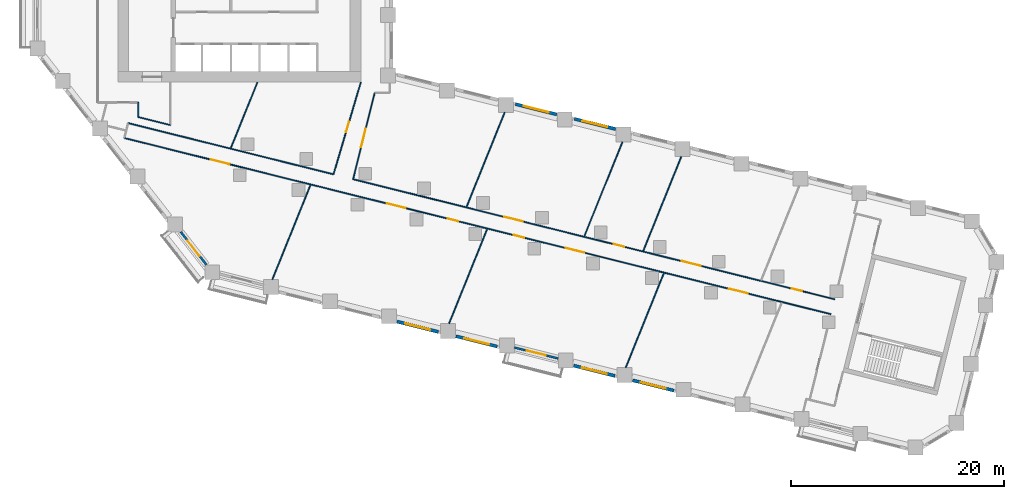
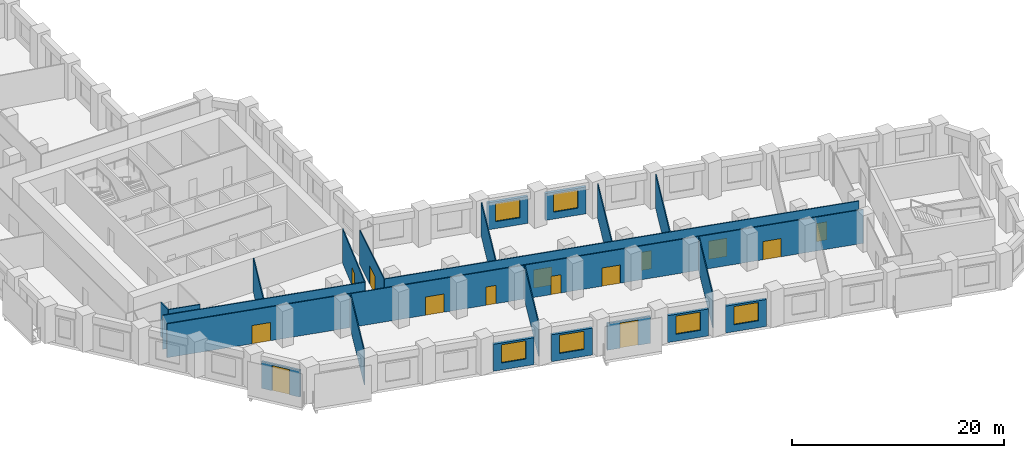
# One storey, part 3 of 11: 22 walls, 14 doors, 6 windows, 20 openings.
"""IFC4 building model written with IfcOpenShell, lengths in metres."""

from ifc_helpers import new_model, si_unit, direction, frame, frame_2d, origin, place, context, subcontext, project, spatial, rectangle, extrude, material, layer, layer_set, type_object, element, fill, save


model = new_model("IFC4")

# Units and contexts
model_context = context("Model", 3, precision=1e-05, world=origin(), true_north=direction((0.0, 1.0)))
body_context = subcontext(model_context, "Body", "Model", "MODEL_VIEW")
ifc_project = project(units=[si_unit("LENGTHUNIT", "METRE"), si_unit("AREAUNIT", "SQUARE_METRE"), si_unit("VOLUMEUNIT", "CUBIC_METRE"), si_unit("PLANEANGLEUNIT", "RADIAN"), si_unit("MASSUNIT", "GRAM", prefix="KILO")], contexts=[model_context])

# Site, building, storey
site_placement = place(None, origin())
site = spatial("IfcSite", under=ifc_project, at=site_placement, CompositionType="ELEMENT")
building_placement = place(site_placement, origin())
building = spatial("IfcBuilding", under=site, at=building_placement, Name="Meshkara Civic Tower", CompositionType="ELEMENT")
storey_placement = place(building_placement, frame((0.0, 0.0, 41.39990234375)))
storey = spatial("IfcBuildingStorey", under=building, at=storey_placement, Name="L08", CompositionType="ELEMENT", Elevation=41.39990234375)

# Wall, openings, doors
ifc_material_1 = material(Name="Corridor wall 100")
ifc_layer_1 = layer(ifc_material_1, 0.10009765625)
ifc_layer_set_1 = layer_set([ifc_layer_1], Name="Corridor wall 100")
wall_type_1 = type_object("IfcWallType", Name="Corridor wall 100", PredefinedType="PARTITIONING", material=ifc_layer_set_1)
wall_1_placement = place(storey_placement, frame((8.593994140625, 8.862060546875, 0.0), z_axis=(0.0, 0.0, 1.0), x_axis=(0.970293746648, -0.241929835316, 0.0)))
wall_1 = element("IfcWall", 1, at=wall_1_placement, inside=storey, type_object=wall_type_1, Name="L08-W006", PredefinedType="PARTITIONING", context=body_context, shape_type="SweptSolid", body=[
    extrude(rectangle(XDim=68.375244140625, YDim=0.10009765625, at=frame_2d((34.1875, 0.0))), origin(), (0.0, 0.0, 1.0), 3.900146484375),
])
opening_1_placement = place(wall_1_placement, frame((37.7080078125, 0.0, 0.0)))
opening_1 = element("IfcOpeningElement", 2, at=opening_1_placement, cuts=wall_1, Name="Opening L08-D003", PredefinedType="OPENING", context=body_context, shape_type="SweptSolid", body=[
    extrude(rectangle(XDim=1.0, YDim=2.10009765625, at=frame_2d((0.5, 1.050048828125))), frame((0.0, 0.06005859375, 0.0), z_axis=(0.0, -1.0, 0.0), x_axis=(1.0, 0.0, 0.0)), (0.0, 0.0, 1.0), 0.1201171875),
])
opening_2_placement = place(wall_1_placement, frame((42.7080078125, 0.0, 0.0)))
opening_2 = element("IfcOpeningElement", 3, at=opening_2_placement, cuts=wall_1, Name="Opening L08-D004", PredefinedType="OPENING", context=body_context, shape_type="SweptSolid", body=[
    extrude(rectangle(XDim=1.800048828125, YDim=2.10009765625, at=frame_2d((0.89990234375, 1.050048828125))), frame((0.0, 0.06005859375, 0.0), z_axis=(0.0, -1.0, 0.0), x_axis=(1.0, 0.0, 0.0)), (0.0, 0.0, 1.0), 0.1201171875),
])
opening_3_placement = place(wall_1_placement, frame((58.508056640625, 0.0, 0.0)))
opening_3 = element("IfcOpeningElement", 4, at=opening_3_placement, cuts=wall_1, Name="Opening L08-D007", PredefinedType="OPENING", context=body_context, shape_type="SweptSolid", body=[
    extrude(rectangle(XDim=1.800048828125, YDim=2.10009765625, at=frame_2d((0.89990234375, 1.050048828125))), frame((0.0, 0.06005859375, 0.0), z_axis=(0.0, -1.0, 0.0), x_axis=(1.0, 0.0, 0.0)), (0.0, 0.0, 1.0), 0.1201171875),
])
opening_4_placement = place(wall_1_placement, frame((25.407958984375, 0.0, 0.0)))
opening_4 = element("IfcOpeningElement", 5, at=opening_4_placement, cuts=wall_1, Name="Opening L08-D010", PredefinedType="OPENING", context=body_context, shape_type="SweptSolid", body=[
    extrude(rectangle(XDim=1.800048828125, YDim=2.10009765625, at=frame_2d((0.89990234375, 1.050048828125))), frame((0.0, 0.06005859375, 0.0), z_axis=(0.0, -1.0, 0.0), x_axis=(1.0, 0.0, 0.0)), (0.0, 0.0, 1.0), 0.1201171875),
])
opening_5_placement = place(wall_1_placement, frame((31.30810546875, 0.0, 0.0)))
opening_5 = element("IfcOpeningElement", 6, at=opening_5_placement, cuts=wall_1, Name="Opening L08-D011", PredefinedType="OPENING", context=body_context, shape_type="SweptSolid", body=[
    extrude(rectangle(XDim=1.0, YDim=2.10009765625, at=frame_2d((0.5, 1.050048828125))), frame((0.0, 0.06005859375, 0.0), z_axis=(0.0, -1.0, 0.0), x_axis=(1.0, 0.0, 0.0)), (0.0, 0.0, 1.0), 0.1201171875),
])
opening_6_placement = place(wall_1_placement, frame((8.3798828125, 0.0, 0.0)))
opening_6 = element("IfcOpeningElement", 7, at=opening_6_placement, cuts=wall_1, Name="Opening L08-D013", PredefinedType="OPENING", context=body_context, shape_type="SweptSolid", body=[
    extrude(rectangle(XDim=1.800048828125, YDim=2.10009765625, at=frame_2d((0.89990234375, 1.050048828125))), frame((0.0, 0.06005859375, 0.0), z_axis=(0.0, -1.0, 0.0), x_axis=(1.0, 0.0, 0.0)), (0.0, 0.0, 1.0), 0.1201171875),
])
ifc_material_2 = material(Name="Door 1000 x 2100")
door_type_1 = type_object("IfcDoorType", Name="Door 1000 x 2100", OperationType="SINGLE_SWING_LEFT", PredefinedType="DOOR", material=ifc_material_2)
door_1_placement = place(opening_1_placement, origin())
door_1 = element("IfcDoor", 8, at=door_1_placement, inside=storey, type_object=door_type_1, Name="L08-D003", OperationType="SINGLE_SWING_RIGHT", OverallHeight=2.10009765625, OverallWidth=1.0, PredefinedType="DOOR", context=body_context, shape_type="SweptSolid", body=[
    extrude(rectangle(XDim=1.0, YDim=2.10009765625, at=frame_2d((0.5, 1.050048828125))), frame((0.0, 0.02490234375, 0.0), z_axis=(0.0, -1.0, 0.0), x_axis=(1.0, 0.0, 0.0)), (0.0, 0.0, 1.0), 0.050048828125),
])
fill(opening_1, door_1)
door_2_placement = place(opening_5_placement, origin())
door_2 = element("IfcDoor", 9, at=door_2_placement, inside=storey, type_object=door_type_1, Name="L08-D011", OperationType="SINGLE_SWING_LEFT", OverallHeight=2.10009765625, OverallWidth=1.0, PredefinedType="DOOR", context=body_context, shape_type="SweptSolid", body=[
    extrude(rectangle(XDim=1.0, YDim=2.10009765625, at=frame_2d((0.5, 1.050048828125))), frame((0.0, 0.02490234375, 0.0), z_axis=(0.0, -1.0, 0.0), x_axis=(1.0, 0.0, 0.0)), (0.0, 0.0, 1.0), 0.050048828125),
])
fill(opening_5, door_2)
ifc_material_3 = material(Name="Door pair 1800 x 2100")
door_type_2 = type_object("IfcDoorType", Name="Door pair 1800 x 2100", OperationType="SINGLE_SWING_LEFT", PredefinedType="DOOR", material=ifc_material_3)
door_3_placement = place(opening_2_placement, origin())
door_3 = element("IfcDoor", 10, at=door_3_placement, inside=storey, type_object=door_type_2, Name="L08-D004", OperationType="DOUBLE_DOOR_SINGLE_SWING", OverallHeight=2.10009765625, OverallWidth=1.800048828125, PredefinedType="DOOR", context=body_context, shape_type="SweptSolid", body=[
    extrude(rectangle(XDim=1.800048828125, YDim=2.10009765625, at=frame_2d((0.89990234375, 1.050048828125))), frame((0.0, 0.02490234375, 0.0), z_axis=(0.0, -1.0, 0.0), x_axis=(1.0, 0.0, 0.0)), (0.0, 0.0, 1.0), 0.050048828125),
])
fill(opening_2, door_3)
door_4_placement = place(opening_3_placement, origin())
door_4 = element("IfcDoor", 11, at=door_4_placement, inside=storey, type_object=door_type_2, Name="L08-D007", OperationType="DOUBLE_DOOR_SINGLE_SWING", OverallHeight=2.10009765625, OverallWidth=1.800048828125, PredefinedType="DOOR", context=body_context, shape_type="SweptSolid", body=[
    extrude(rectangle(XDim=1.800048828125, YDim=2.10009765625, at=frame_2d((0.89990234375, 1.050048828125))), frame((0.0, 0.02490234375, 0.0), z_axis=(0.0, -1.0, 0.0), x_axis=(1.0, 0.0, 0.0)), (0.0, 0.0, 1.0), 0.050048828125),
])
fill(opening_3, door_4)
door_5_placement = place(opening_4_placement, origin())
door_5 = element("IfcDoor", 12, at=door_5_placement, inside=storey, type_object=door_type_2, Name="L08-D010", OperationType="DOUBLE_DOOR_SINGLE_SWING", OverallHeight=2.10009765625, OverallWidth=1.800048828125, PredefinedType="DOOR", context=body_context, shape_type="SweptSolid", body=[
    extrude(rectangle(XDim=1.800048828125, YDim=2.10009765625, at=frame_2d((0.89990234375, 1.050048828125))), frame((0.0, 0.02490234375, 0.0), z_axis=(0.0, -1.0, 0.0), x_axis=(1.0, 0.0, 0.0)), (0.0, 0.0, 1.0), 0.050048828125),
])
fill(opening_4, door_5)
door_6_placement = place(opening_6_placement, origin())
door_6 = element("IfcDoor", 13, at=door_6_placement, inside=storey, type_object=door_type_2, Name="L08-D013", OperationType="DOUBLE_DOOR_SINGLE_SWING", OverallHeight=2.10009765625, OverallWidth=1.800048828125, PredefinedType="DOOR", context=body_context, shape_type="SweptSolid", body=[
    extrude(rectangle(XDim=1.800048828125, YDim=2.10009765625, at=frame_2d((0.89990234375, 1.050048828125))), frame((0.0, 0.02490234375, 0.0), z_axis=(0.0, -1.0, 0.0), x_axis=(1.0, 0.0, 0.0)), (0.0, 0.0, 1.0), 0.050048828125),
])
fill(opening_6, door_6)

# Walls
wall_2_placement = place(storey_placement, frame((8.944091796875, 10.263916015625, 0.0), z_axis=(0.0, 0.0, 1.0), x_axis=(0.970300504447, -0.241902730595, 0.0)))
element("IfcWall", 14, at=wall_2_placement, inside=storey, type_object=wall_type_1, Name="L08-W007", PredefinedType="PARTITIONING", context=body_context, shape_type="SweptSolid", body=[
    extrude(rectangle(XDim=19.879150390625, YDim=0.10009765625, at=frame_2d((9.939453125, 0.0))), origin(), (0.0, 0.0, 1.0), 3.900146484375),
])
wall_3_placement = place(storey_placement, frame((9.89990234375, 10.825927734375, 0.0), z_axis=(0.0, 0.0, 1.0), x_axis=(0.970290953223, -0.241941038466, 0.0)))
element("IfcWall", 15, at=wall_3_placement, inside=storey, type_object=wall_type_1, Name="L08-W009", PredefinedType="PARTITIONING", context=body_context, shape_type="SweptSolid", body=[
    extrude(rectangle(XDim=3.091796875, YDim=0.10009765625, at=frame_2d((1.5458984375, 0.0))), origin(), (0.0, 0.0, 1.0), 3.900146484375),
])
wall_4_placement = place(storey_placement, frame((9.89990234375, 12.199951171875, 0.0), z_axis=(0.0, 0.0, 1.0), x_axis=(0.0, -1.0, 0.0)))
element("IfcWall", 16, at=wall_4_placement, inside=storey, type_object=wall_type_1, Name="L08-W010", PredefinedType="PARTITIONING", context=body_context, shape_type="SweptSolid", body=[
    extrude(rectangle(XDim=1.3740234375, YDim=0.10009765625, at=frame_2d((0.68701171875, 0.0))), origin(), (0.0, 0.0, 1.0), 3.900146484375),
])

# Wall, openings, doors
wall_5_placement = place(storey_placement, frame((30.075927734375, 4.9951171875, 0.0), z_axis=(0.0, 0.0, 1.0), x_axis=(0.97029302478, -0.24193273045, 0.0)))
wall_5 = element("IfcWall", 17, at=wall_5_placement, inside=storey, type_object=wall_type_1, Name="L08-W020", PredefinedType="PARTITIONING", context=body_context, shape_type="SweptSolid", body=[
    extrude(rectangle(XDim=46.596435546875, YDim=0.10009765625, at=frame_2d((23.29833984375, 0.0))), origin(), (0.0, 0.0, 1.0), 3.900146484375),
])
opening_7_placement = place(wall_5_placement, frame((25.22900390625, 0.0, 0.0)))
opening_7 = element("IfcOpeningElement", 18, at=opening_7_placement, cuts=wall_5, Name="Opening L08-D005", PredefinedType="OPENING", context=body_context, shape_type="SweptSolid", body=[
    extrude(rectangle(XDim=1.0, YDim=2.10009765625, at=frame_2d((0.5, 1.050048828125))), frame((0.0, 0.06005859375, 0.0), z_axis=(0.0, -1.0, 0.0), x_axis=(1.0, 0.0, 0.0)), (0.0, 0.0, 1.0), 0.1201171875),
])
opening_8_placement = place(wall_5_placement, frame((31.827880859375, 0.0, 0.0)))
opening_8 = element("IfcOpeningElement", 19, at=opening_8_placement, cuts=wall_5, Name="Opening L08-D006", PredefinedType="OPENING", context=body_context, shape_type="SweptSolid", body=[
    extrude(rectangle(XDim=1.800048828125, YDim=2.10009765625, at=frame_2d((0.89990234375, 1.050048828125))), frame((0.0, 0.06005859375, 0.0), z_axis=(0.0, -1.0, 0.0), x_axis=(1.0, 0.0, 0.0)), (0.0, 0.0, 1.0), 0.1201171875),
])
opening_9_placement = place(wall_5_placement, frame((42.428955078125, 0.0, 0.0)))
opening_9 = element("IfcOpeningElement", 20, at=opening_9_placement, cuts=wall_5, Name="Opening L08-D008", PredefinedType="OPENING", context=body_context, shape_type="SweptSolid", body=[
    extrude(rectangle(XDim=1.0, YDim=2.10009765625, at=frame_2d((0.5, 1.050048828125))), frame((0.0, 0.06005859375, 0.0), z_axis=(0.0, -1.0, 0.0), x_axis=(1.0, 0.0, 0.0)), (0.0, 0.0, 1.0), 0.1201171875),
])
opening_10_placement = place(wall_5_placement, frame((14.62890625, 0.0, 0.0)))
opening_10 = element("IfcOpeningElement", 21, at=opening_10_placement, cuts=wall_5, Name="Opening L08-D012", PredefinedType="OPENING", context=body_context, shape_type="SweptSolid", body=[
    extrude(rectangle(XDim=1.800048828125, YDim=2.10009765625, at=frame_2d((0.89990234375, 1.050048828125))), frame((0.0, 0.06005859375, 0.0), z_axis=(0.0, -1.0, 0.0), x_axis=(1.0, 0.0, 0.0)), (0.0, 0.0, 1.0), 0.1201171875),
])
door_7_placement = place(opening_7_placement, origin())
door_7 = element("IfcDoor", 22, at=door_7_placement, inside=storey, type_object=door_type_1, Name="L08-D005", OperationType="SINGLE_SWING_RIGHT", OverallHeight=2.10009765625, OverallWidth=1.0, PredefinedType="DOOR", context=body_context, shape_type="SweptSolid", body=[
    extrude(rectangle(XDim=1.0, YDim=2.10009765625, at=frame_2d((0.5, 1.050048828125))), frame((0.0, 0.02490234375, 0.0), z_axis=(0.0, -1.0, 0.0), x_axis=(1.0, 0.0, 0.0)), (0.0, 0.0, 1.0), 0.050048828125),
])
fill(opening_7, door_7)
door_8_placement = place(opening_9_placement, origin())
door_8 = element("IfcDoor", 23, at=door_8_placement, inside=storey, type_object=door_type_1, Name="L08-D008", OperationType="SINGLE_SWING_LEFT", OverallHeight=2.10009765625, OverallWidth=1.0, PredefinedType="DOOR", context=body_context, shape_type="SweptSolid", body=[
    extrude(rectangle(XDim=1.0, YDim=2.10009765625, at=frame_2d((0.5, 1.050048828125))), frame((0.0, 0.02490234375, 0.0), z_axis=(0.0, -1.0, 0.0), x_axis=(1.0, 0.0, 0.0)), (0.0, 0.0, 1.0), 0.050048828125),
])
fill(opening_9, door_8)
door_9_placement = place(opening_8_placement, origin())
door_9 = element("IfcDoor", 24, at=door_9_placement, inside=storey, type_object=door_type_2, Name="L08-D006", OperationType="DOUBLE_DOOR_SINGLE_SWING", OverallHeight=2.10009765625, OverallWidth=1.800048828125, PredefinedType="DOOR", context=body_context, shape_type="SweptSolid", body=[
    extrude(rectangle(XDim=1.800048828125, YDim=2.10009765625, at=frame_2d((0.89990234375, 1.050048828125))), frame((0.0, 0.02490234375, 0.0), z_axis=(0.0, -1.0, 0.0), x_axis=(1.0, 0.0, 0.0)), (0.0, 0.0, 1.0), 0.050048828125),
])
fill(opening_8, door_9)
door_10_placement = place(opening_10_placement, origin())
door_10 = element("IfcDoor", 25, at=door_10_placement, inside=storey, type_object=door_type_2, Name="L08-D012", OperationType="DOUBLE_DOOR_SINGLE_SWING", OverallHeight=2.10009765625, OverallWidth=1.800048828125, PredefinedType="DOOR", context=body_context, shape_type="SweptSolid", body=[
    extrude(rectangle(XDim=1.800048828125, YDim=2.10009765625, at=frame_2d((0.89990234375, 1.050048828125))), frame((0.0, 0.02490234375, 0.0), z_axis=(0.0, -1.0, 0.0), x_axis=(1.0, 0.0, 0.0)), (0.0, 0.0, 1.0), 0.050048828125),
])
fill(opening_10, door_10)

# Wall, opening, door
wall_6_placement = place(storey_placement, frame((30.075927734375, 4.9951171875, 0.0), z_axis=(0.0, 0.0, 1.0), x_axis=(0.241944155572, 0.97029017597, 0.0)))
wall_6 = element("IfcWall", 26, at=wall_6_placement, inside=storey, type_object=wall_type_1, Name="L08-W021", PredefinedType="PARTITIONING", context=body_context, shape_type="SweptSolid", body=[
    extrude(rectangle(XDim=8.353271484375, YDim=0.10009765625, at=frame_2d((4.1767578125, 0.0))), origin(), (0.0, 0.0, 1.0), 3.900146484375),
])
opening_11_placement = place(wall_6_placement, frame((3.080078125, 0.0, 0.0)))
opening_11 = element("IfcOpeningElement", 27, at=opening_11_placement, cuts=wall_6, Name="Opening L08-D015", PredefinedType="OPENING", context=body_context, shape_type="SweptSolid", body=[
    extrude(rectangle(XDim=1.800048828125, YDim=2.10009765625, at=frame_2d((0.89990234375, 1.050048828125))), frame((0.0, 0.06005859375, 0.0), z_axis=(0.0, -1.0, 0.0), x_axis=(1.0, 0.0, 0.0)), (0.0, 0.0, 1.0), 0.1201171875),
])
door_11_placement = place(opening_11_placement, origin())
door_11 = element("IfcDoor", 28, at=door_11_placement, inside=storey, type_object=door_type_2, Name="L08-D015", OperationType="DOUBLE_DOOR_SINGLE_SWING", OverallHeight=2.10009765625, OverallWidth=1.800048828125, PredefinedType="DOOR", context=body_context, shape_type="SweptSolid", body=[
    extrude(rectangle(XDim=1.800048828125, YDim=2.10009765625, at=frame_2d((0.89990234375, 1.050048828125))), frame((0.0, 0.02490234375, 0.0), z_axis=(0.0, -1.0, 0.0), x_axis=(1.0, 0.0, 0.0)), (0.0, 0.0, 1.0), 0.050048828125),
])
fill(opening_11, door_11)

wall_7_placement = place(storey_placement, frame((30.800048828125, 14.10009765625, 0.0), z_axis=(0.0, 0.0, 1.0), x_axis=(-0.284664373847, -0.95862724469, 0.0)))
wall_7 = element("IfcWall", 29, at=wall_7_placement, inside=storey, type_object=wall_type_1, Name="L08-W022", PredefinedType="PARTITIONING", context=body_context, shape_type="SweptSolid", body=[
    extrude(rectangle(XDim=9.01806640625, YDim=0.10009765625, at=frame_2d((4.509033203125, 0.0))), origin(), (0.0, 0.0, 1.0), 3.900146484375),
])
opening_12_placement = place(wall_7_placement, frame((3.8798828125, 0.0, 0.0)))
opening_12 = element("IfcOpeningElement", 30, at=opening_12_placement, cuts=wall_7, Name="Opening L08-D014", PredefinedType="OPENING", context=body_context, shape_type="SweptSolid", body=[
    extrude(rectangle(XDim=1.0, YDim=2.10009765625, at=frame_2d((0.5, 1.050048828125))), frame((0.0, 0.06005859375, 0.0), z_axis=(0.0, -1.0, 0.0), x_axis=(1.0, 0.0, 0.0)), (0.0, 0.0, 1.0), 0.1201171875),
])
door_12_placement = place(opening_12_placement, origin())
door_12 = element("IfcDoor", 31, at=door_12_placement, inside=storey, type_object=door_type_1, Name="L08-D014", OperationType="SINGLE_SWING_RIGHT", OverallHeight=2.10009765625, OverallWidth=1.0, PredefinedType="DOOR", context=body_context, shape_type="SweptSolid", body=[
    extrude(rectangle(XDim=1.0, YDim=2.10009765625, at=frame_2d((0.5, 1.050048828125))), frame((0.0, 0.02490234375, 0.0), z_axis=(0.0, -1.0, 0.0), x_axis=(1.0, 0.0, 0.0)), (0.0, 0.0, 1.0), 0.050048828125),
])
fill(opening_12, door_12)

# Wall, opening, window
ifc_material_4 = material(Name="Insulated infill panel with bronze anodised aluminium cladding", Category="aluminium")
ifc_layer_2 = layer(ifc_material_4, 0.300048828125)
ifc_layer_set_2 = layer_set([ifc_layer_2], Name="EXTERNAL INFILL WALL 300")
wall_type_2 = type_object("IfcWallType", Name="EXTERNAL INFILL WALL 300", PredefinedType="SOLIDWALL", material=ifc_layer_set_2)
wall_8_placement = place(storey_placement, frame((54.721923828125, 9.699951171875, 0.0), z_axis=(0.0, 0.0, 1.0), x_axis=(-0.970318045095, 0.24183236211, 0.0)))
wall_8 = element("IfcWall", 32, at=wall_8_placement, inside=storey, type_object=wall_type_2, Name="External wall", PredefinedType="SOLIDWALL", context=body_context, shape_type="SweptSolid", body=[
    extrude(rectangle(XDim=4.0029296875, YDim=0.300048828125, at=frame_2d((2.00146484375, 0.0))), origin(), (0.0, 0.0, 1.0), 3.10009765625),
])
opening_13_placement = place(wall_8_placement, frame((0.802001953125, 0.0, 0.800048828125)))
opening_13 = element("IfcOpeningElement", 33, at=opening_13_placement, cuts=wall_8, Name="Opening W7", PredefinedType="OPENING", context=body_context, shape_type="SweptSolid", body=[
    extrude(rectangle(XDim=2.39990234375, YDim=2.10009765625, at=frame_2d((1.199951171875, 1.050048828125))), frame((0.0, 0.159912109375, 0.0), z_axis=(0.0, -1.0, 0.0), x_axis=(1.0, 0.0, 0.0)), (0.0, 0.0, 1.0), 0.320068359375),
])
ifc_material_5 = material(Name="Tinted double glazing", Category="glass")
window_type = type_object("IfcWindowType", Name="WINDOW 2400x2100", PartitioningType="DOUBLE_PANEL_VERTICAL", PredefinedType="WINDOW", material=ifc_material_5)
window_1_placement = place(opening_13_placement, origin())
window_1 = element("IfcWindow", 34, at=window_1_placement, inside=storey, type_object=window_type, Name="Window", OverallHeight=2.10009765625, OverallWidth=2.39990234375, PartitioningType="DOUBLE_PANEL_VERTICAL", PredefinedType="WINDOW", context=body_context, shape_type="SweptSolid", body=[
    extrude(rectangle(XDim=2.39990234375, YDim=2.10009765625, at=frame_2d((1.199951171875, 1.050048828125))), frame((0.0, 0.030029296875, 0.0), z_axis=(0.0, -1.0, 0.0), x_axis=(1.0, 0.0, 0.0)), (0.0, 0.0, 1.0), 0.06005859375),
])
fill(opening_13, window_1)

wall_9_placement = place(storey_placement, frame((49.19091796875, 11.0791015625, 0.0), z_axis=(0.0, 0.0, 1.0), x_axis=(-0.970318045095, 0.24183236211, 0.0)))
wall_9 = element("IfcWall", 35, at=wall_9_placement, inside=storey, type_object=wall_type_2, Name="External wall", PredefinedType="SOLIDWALL", context=body_context, shape_type="SweptSolid", body=[
    extrude(rectangle(XDim=4.0029296875, YDim=0.300048828125, at=frame_2d((2.00146484375, 0.0))), origin(), (0.0, 0.0, 1.0), 3.10009765625),
])
opening_14_placement = place(wall_9_placement, frame((0.802001953125, 0.0, 0.800048828125)))
opening_14 = element("IfcOpeningElement", 36, at=opening_14_placement, cuts=wall_9, Name="Opening W7", PredefinedType="OPENING", context=body_context, shape_type="SweptSolid", body=[
    extrude(rectangle(XDim=2.39990234375, YDim=2.10009765625, at=frame_2d((1.199951171875, 1.050048828125))), frame((0.0, 0.159912109375, 0.0), z_axis=(0.0, -1.0, 0.0), x_axis=(1.0, 0.0, 0.0)), (0.0, 0.0, 1.0), 0.320068359375),
])
window_2_placement = place(opening_14_placement, origin())
window_2 = element("IfcWindow", 37, at=window_2_placement, inside=storey, type_object=window_type, Name="Window", OverallHeight=2.10009765625, OverallWidth=2.39990234375, PartitioningType="DOUBLE_PANEL_VERTICAL", PredefinedType="WINDOW", context=body_context, shape_type="SweptSolid", body=[
    extrude(rectangle(XDim=2.39990234375, YDim=2.10009765625, at=frame_2d((1.199951171875, 1.050048828125))), frame((0.0, 0.030029296875, 0.0), z_axis=(0.0, -1.0, 0.0), x_axis=(1.0, 0.0, 0.0)), (0.0, 0.0, 1.0), 0.06005859375),
])
fill(opening_14, window_2)

wall_10_placement = place(storey_placement, frame((34.194091796875, -8.37109375, 0.0), z_axis=(0.0, 0.0, 1.0), x_axis=(0.970314477803, -0.241846674911, 0.0)))
wall_10 = element("IfcWall", 38, at=wall_10_placement, inside=storey, type_object=wall_type_2, Name="External wall", PredefinedType="SOLIDWALL", context=body_context, shape_type="SweptSolid", body=[
    extrude(rectangle(XDim=4.002685546875, YDim=0.300048828125, at=frame_2d((2.00146484375, 0.0))), origin(), (0.0, 0.0, 1.0), 3.10009765625),
])
opening_15_placement = place(wall_10_placement, frame((0.802001953125, 0.0, 0.800048828125)))
opening_15 = element("IfcOpeningElement", 39, at=opening_15_placement, cuts=wall_10, Name="Opening W7", PredefinedType="OPENING", context=body_context, shape_type="SweptSolid", body=[
    extrude(rectangle(XDim=2.39990234375, YDim=2.10009765625, at=frame_2d((1.199951171875, 1.050048828125))), frame((0.0, 0.159912109375, 0.0), z_axis=(0.0, -1.0, 0.0), x_axis=(1.0, 0.0, 0.0)), (0.0, 0.0, 1.0), 0.320068359375),
])
window_3_placement = place(opening_15_placement, origin())
window_3 = element("IfcWindow", 40, at=window_3_placement, inside=storey, type_object=window_type, Name="Window", OverallHeight=2.10009765625, OverallWidth=2.39990234375, PartitioningType="DOUBLE_PANEL_VERTICAL", PredefinedType="WINDOW", context=body_context, shape_type="SweptSolid", body=[
    extrude(rectangle(XDim=2.39990234375, YDim=2.10009765625, at=frame_2d((1.199951171875, 1.050048828125))), frame((0.0, 0.030029296875, 0.0), z_axis=(0.0, -1.0, 0.0), x_axis=(1.0, 0.0, 0.0)), (0.0, 0.0, 1.0), 0.06005859375),
])
fill(opening_15, window_3)

wall_11_placement = place(storey_placement, frame((39.72509765625, -9.75, 0.0), z_axis=(0.0, 0.0, 1.0), x_axis=(0.970314477803, -0.241846674911, 0.0)))
wall_11 = element("IfcWall", 41, at=wall_11_placement, inside=storey, type_object=wall_type_2, Name="External wall", PredefinedType="SOLIDWALL", context=body_context, shape_type="SweptSolid", body=[
    extrude(rectangle(XDim=4.002685546875, YDim=0.300048828125, at=frame_2d((2.00146484375, 0.0))), origin(), (0.0, 0.0, 1.0), 3.10009765625),
])
opening_16_placement = place(wall_11_placement, frame((0.801025390625, 0.0, 0.800048828125)))
opening_16 = element("IfcOpeningElement", 42, at=opening_16_placement, cuts=wall_11, Name="Opening W7", PredefinedType="OPENING", context=body_context, shape_type="SweptSolid", body=[
    extrude(rectangle(XDim=2.39990234375, YDim=2.10009765625, at=frame_2d((1.199951171875, 1.050048828125))), frame((0.0, 0.159912109375, 0.0), z_axis=(0.0, -1.0, 0.0), x_axis=(1.0, 0.0, 0.0)), (0.0, 0.0, 1.0), 0.320068359375),
])
window_4_placement = place(opening_16_placement, origin())
window_4 = element("IfcWindow", 43, at=window_4_placement, inside=storey, type_object=window_type, Name="Window", OverallHeight=2.10009765625, OverallWidth=2.39990234375, PartitioningType="DOUBLE_PANEL_VERTICAL", PredefinedType="WINDOW", context=body_context, shape_type="SweptSolid", body=[
    extrude(rectangle(XDim=2.39990234375, YDim=2.10009765625, at=frame_2d((1.199951171875, 1.050048828125))), frame((0.0, 0.030029296875, 0.0), z_axis=(0.0, -1.0, 0.0), x_axis=(1.0, 0.0, 0.0)), (0.0, 0.0, 1.0), 0.06005859375),
])
fill(opening_16, window_4)

wall_12_placement = place(storey_placement, frame((50.785888671875, -12.508056640625, 0.0), z_axis=(0.0, 0.0, 1.0), x_axis=(0.970318045095, -0.24183236211, 0.0)))
wall_12 = element("IfcWall", 44, at=wall_12_placement, inside=storey, type_object=wall_type_2, Name="External wall", PredefinedType="SOLIDWALL", context=body_context, shape_type="SweptSolid", body=[
    extrude(rectangle(XDim=4.0029296875, YDim=0.300048828125, at=frame_2d((2.00146484375, 0.0))), origin(), (0.0, 0.0, 1.0), 3.10009765625),
])
opening_17_placement = place(wall_12_placement, frame((0.802001953125, 0.0, 0.800048828125)))
opening_17 = element("IfcOpeningElement", 45, at=opening_17_placement, cuts=wall_12, Name="Opening W7", PredefinedType="OPENING", context=body_context, shape_type="SweptSolid", body=[
    extrude(rectangle(XDim=2.39990234375, YDim=2.10009765625, at=frame_2d((1.199951171875, 1.050048828125))), frame((0.0, 0.159912109375, 0.0), z_axis=(0.0, -1.0, 0.0), x_axis=(1.0, 0.0, 0.0)), (0.0, 0.0, 1.0), 0.320068359375),
])
window_5_placement = place(opening_17_placement, origin())
window_5 = element("IfcWindow", 46, at=window_5_placement, inside=storey, type_object=window_type, Name="Window", OverallHeight=2.10009765625, OverallWidth=2.39990234375, PartitioningType="DOUBLE_PANEL_VERTICAL", PredefinedType="WINDOW", context=body_context, shape_type="SweptSolid", body=[
    extrude(rectangle(XDim=2.39990234375, YDim=2.10009765625, at=frame_2d((1.199951171875, 1.050048828125))), frame((0.0, 0.030029296875, 0.0), z_axis=(0.0, -1.0, 0.0), x_axis=(1.0, 0.0, 0.0)), (0.0, 0.0, 1.0), 0.06005859375),
])
fill(opening_17, window_5)

wall_13_placement = place(storey_placement, frame((56.31689453125, -13.886962890625, 0.0), z_axis=(0.0, 0.0, 1.0), x_axis=(0.970318045095, -0.24183236211, 0.0)))
wall_13 = element("IfcWall", 47, at=wall_13_placement, inside=storey, type_object=wall_type_2, Name="External wall", PredefinedType="SOLIDWALL", context=body_context, shape_type="SweptSolid", body=[
    extrude(rectangle(XDim=4.0029296875, YDim=0.300048828125, at=frame_2d((2.00146484375, 0.0))), origin(), (0.0, 0.0, 1.0), 3.10009765625),
])
opening_18_placement = place(wall_13_placement, frame((0.802001953125, 0.0, 0.800048828125)))
opening_18 = element("IfcOpeningElement", 48, at=opening_18_placement, cuts=wall_13, Name="Opening W7", PredefinedType="OPENING", context=body_context, shape_type="SweptSolid", body=[
    extrude(rectangle(XDim=2.39990234375, YDim=2.10009765625, at=frame_2d((1.199951171875, 1.050048828125))), frame((0.0, 0.159912109375, 0.0), z_axis=(0.0, -1.0, 0.0), x_axis=(1.0, 0.0, 0.0)), (0.0, 0.0, 1.0), 0.320068359375),
])
window_6_placement = place(opening_18_placement, origin())
window_6 = element("IfcWindow", 49, at=window_6_placement, inside=storey, type_object=window_type, Name="Window", OverallHeight=2.10009765625, OverallWidth=2.39990234375, PartitioningType="DOUBLE_PANEL_VERTICAL", PredefinedType="WINDOW", context=body_context, shape_type="SweptSolid", body=[
    extrude(rectangle(XDim=2.39990234375, YDim=2.10009765625, at=frame_2d((1.199951171875, 1.050048828125))), frame((0.0, 0.030029296875, 0.0), z_axis=(0.0, -1.0, 0.0), x_axis=(1.0, 0.0, 0.0)), (0.0, 0.0, 1.0), 0.06005859375),
])
fill(opening_18, window_6)

# Wall, opening, door
ifc_material_6 = material(Name="Insulated infill panel with bronze anodised aluminium cladding", Category="aluminium")
ifc_layer_3 = layer(ifc_material_6, 0.199951171875)
ifc_layer_set_3 = layer_set([ifc_layer_3], Name="LOGGIA BACK WALL 200")
wall_type_3 = type_object("IfcWallType", Name="LOGGIA BACK WALL 200", PredefinedType="SOLIDWALL", material=ifc_layer_set_3)
wall_14_placement = place(storey_placement, frame((13.888916015625, 0.053955078125, 0.0), z_axis=(0.0, 0.0, 1.0), x_axis=(0.615546225508, -0.788100783062, 0.0)))
wall_14 = element("IfcWall", 50, at=wall_14_placement, inside=storey, type_object=wall_type_3, Name="Loggia wall", PredefinedType="SOLIDWALL", context=body_context, shape_type="SweptSolid", body=[
    extrude(rectangle(XDim=3.92333984375, YDim=0.199951171875, at=frame_2d((1.961669921875, 0.0))), origin(), (0.0, 0.0, 1.0), 3.10009765625),
])
opening_19_placement = place(wall_14_placement, frame((1.06103515625, 0.0, 0.0)))
opening_19 = element("IfcOpeningElement", 51, at=opening_19_placement, cuts=wall_14, Name="Opening L08-L003", PredefinedType="OPENING", context=body_context, shape_type="SweptSolid", body=[
    extrude(rectangle(XDim=1.800048828125, YDim=2.89990234375, at=frame_2d((0.89990234375, 1.449951171875))), frame((0.0, 0.10986328125, 0.0), z_axis=(0.0, -1.0, 0.0), x_axis=(1.0, 0.0, 0.0)), (0.0, 0.0, 1.0), 0.219970703125),
])
ifc_material_7 = material(Name="Tinted double glazing", Category="glass")
door_type_3 = type_object("IfcDoorType", Name="LOGGIA DOOR 1800x2900", OperationType="DOUBLE_DOOR_SINGLE_SWING", PredefinedType="DOOR", material=ifc_material_7)
door_13_placement = place(opening_19_placement, origin())
door_13 = element("IfcDoor", 52, at=door_13_placement, inside=storey, type_object=door_type_3, Name="L08-L003", OperationType="DOUBLE_DOOR_SINGLE_SWING", OverallHeight=2.89990234375, OverallWidth=1.800048828125, PredefinedType="DOOR", context=body_context, shape_type="SweptSolid", body=[
    extrude(rectangle(XDim=1.800048828125, YDim=2.89990234375, at=frame_2d((0.89990234375, 1.449951171875))), frame((0.0, 0.02490234375, 0.0), z_axis=(0.0, -1.0, 0.0), x_axis=(1.0, 0.0, 0.0)), (0.0, 0.0, 1.0), 0.050048828125),
])
fill(opening_19, door_13)

wall_15_placement = place(storey_placement, frame((45.205078125, -10.806884765625, 0.0), z_axis=(0.0, 0.0, 1.0), x_axis=(0.970277311249, -0.241995742265, 0.0)))
wall_15 = element("IfcWall", 53, at=wall_15_placement, inside=storey, type_object=wall_type_3, Name="Loggia wall", PredefinedType="SOLIDWALL", context=body_context, shape_type="SweptSolid", body=[
    extrude(rectangle(XDim=4.25634765625, YDim=0.199951171875, at=frame_2d((2.128173828125, 0.0))), origin(), (0.0, 0.0, 1.0), 3.10009765625),
])
opening_20_placement = place(wall_15_placement, frame((1.22802734375, 0.0, 0.0)))
opening_20 = element("IfcOpeningElement", 54, at=opening_20_placement, cuts=wall_15, Name="Opening L08-L005", PredefinedType="OPENING", context=body_context, shape_type="SweptSolid", body=[
    extrude(rectangle(XDim=1.800048828125, YDim=2.89990234375, at=frame_2d((0.89990234375, 1.449951171875))), frame((0.0, 0.10986328125, 0.0), z_axis=(0.0, -1.0, 0.0), x_axis=(1.0, 0.0, 0.0)), (0.0, 0.0, 1.0), 0.219970703125),
])
door_14_placement = place(opening_20_placement, origin())
door_14 = element("IfcDoor", 55, at=door_14_placement, inside=storey, type_object=door_type_3, Name="L08-L005", OperationType="DOUBLE_DOOR_SINGLE_SWING", OverallHeight=2.89990234375, OverallWidth=1.800048828125, PredefinedType="DOOR", context=body_context, shape_type="SweptSolid", body=[
    extrude(rectangle(XDim=1.800048828125, YDim=2.89990234375, at=frame_2d((0.89990234375, 1.449951171875))), frame((0.0, 0.02490234375, 0.0), z_axis=(0.0, -1.0, 0.0), x_axis=(1.0, 0.0, 0.0)), (0.0, 0.0, 1.0), 0.050048828125),
])
fill(opening_20, door_14)

# Walls
ifc_material_8 = material(Name="Partition 100")
ifc_layer_4 = layer(ifc_material_8, 0.10009765625)
ifc_layer_set_4 = layer_set([ifc_layer_4], Name="Partition 100")
wall_type_4 = type_object("IfcWallType", Name="Partition 100", PredefinedType="PARTITIONING", material=ifc_layer_set_4)
wall_16_placement = place(storey_placement, frame((18.59912109375, 7.9150390625, 0.0), z_axis=(0.0, 0.0, 1.0), x_axis=(0.374461839275, 0.927242325892, 0.0)))
element("IfcWall", 56, at=wall_16_placement, inside=storey, type_object=wall_type_4, Name="L08-W042", PredefinedType="PARTITIONING", context=body_context, shape_type="SweptSolid", body=[
    extrude(rectangle(XDim=6.67041015625, YDim=0.10009765625, at=frame_2d((3.335205078125, 0.0))), origin(), (0.0, 0.0, 1.0), 3.900146484375),
])
for number, where, z_axis, x_axis, name in (
    (57, (22.492919921875, -4.4169921875, 0.0), (0.0, 0.0, 1.0), (0.374480366096, 0.92723484372, 0.0), "L08-W047"),
    (58, (39.0849609375, -8.553955078125, 0.0), (0.0, 0.0, 1.0), (0.374480366096, 0.92723484372, 0.0), "L08-W048"),
    (59, (40.721923828125, 2.39892578125, 0.0), (0.0, 0.0, 1.0), (0.374480366096, 0.92723484372, 0.0), "L08-W049"),
    (60, (51.782958984375, -0.35888671875, 0.0), (0.0, 0.0, 1.0), (0.374577080992, 0.927195777814, 0.0), "L08-W050"),
):
    element("IfcWall", number, at=place(storey_placement, frame(where, z_axis=z_axis, x_axis=x_axis)), inside=storey, type_object=wall_type_4, Name=name, PredefinedType="PARTITIONING", context=body_context, shape_type="SweptSolid", body=[
        extrude(rectangle(XDim=9.5576171875, YDim=0.10009765625, at=frame_2d((4.77880859375, 0.0))), origin(), (0.0, 0.0, 1.0), 3.900146484375),
    ])
wall_17_placement = place(storey_placement, frame((55.676025390625, -12.68994140625, 0.0), z_axis=(0.0, 0.0, 1.0), x_axis=(0.374612570435, 0.927181439672, 0.0)))
element("IfcWall", 61, at=wall_17_placement, inside=storey, type_object=wall_type_4, Name="L08-W051", PredefinedType="PARTITIONING", context=body_context, shape_type="SweptSolid", body=[
    extrude(rectangle(XDim=9.556640625, YDim=0.10009765625, at=frame_2d((4.7783203125, 0.0))), origin(), (0.0, 0.0, 1.0), 3.900146484375),
])
wall_18_placement = place(storey_placement, frame((57.31298828125, -1.738037109375, 0.0), z_axis=(0.0, 0.0, 1.0), x_axis=(0.374568209597, 0.927199361712, 0.0)))
element("IfcWall", 62, at=wall_18_placement, inside=storey, type_object=wall_type_4, Name="L08-W052", PredefinedType="PARTITIONING", context=body_context, shape_type="SweptSolid", body=[
    extrude(rectangle(XDim=9.557861328125, YDim=0.10009765625, at=frame_2d((4.77880859375, 0.0))), origin(), (0.0, 0.0, 1.0), 3.900146484375),
])

save(model, "model.ifc")
